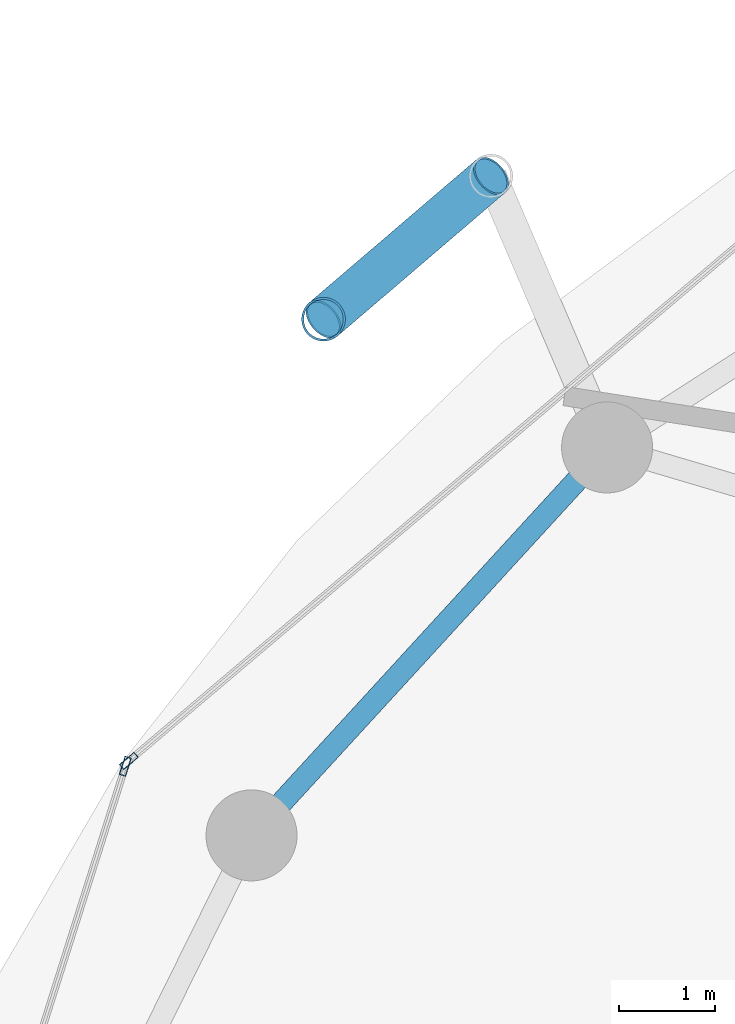
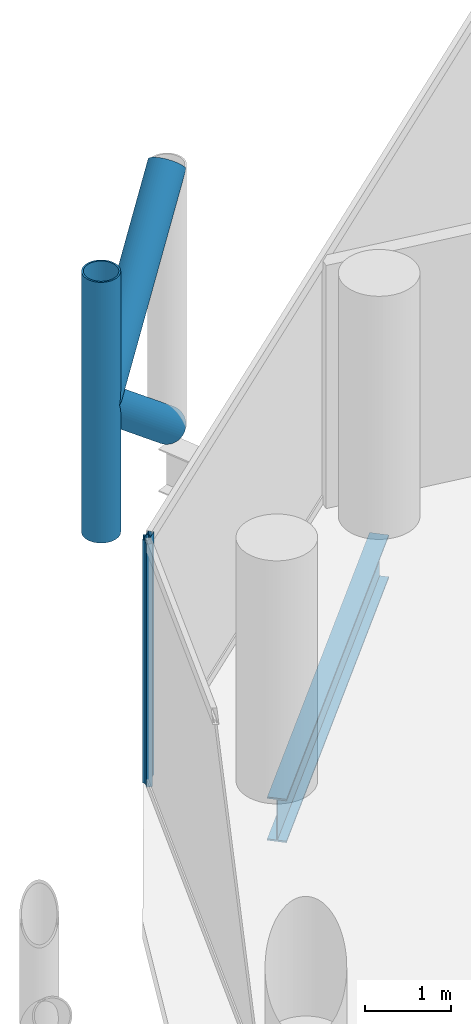
# One storey, part 13 of 26: 5 members, 1 beam, 2 elements without a shape of their own.
"""IFC4 building model written with IfcOpenShell, lengths in metres."""

from ifc_helpers import new_model, si_unit, direction, frame, origin, origin_2d, place, context, subcontext, project, spatial, hollow_rectangle, hollow_circle, i_section, extrude, material, layer, layer_set, material_profile, profile_set, type_object, element, aggregate, save


model = new_model("IFC4")

# Units and contexts
model_context = context("Model", 3, precision=1e-05, world=origin(), true_north=direction((0.0, 1.0)))
body_context = subcontext(model_context, "Body", "Model", "MODEL_VIEW")
ifc_project = project(units=[si_unit("LENGTHUNIT", "METRE"), si_unit("AREAUNIT", "SQUARE_METRE"), si_unit("VOLUMEUNIT", "CUBIC_METRE"), si_unit("PLANEANGLEUNIT", "RADIAN"), si_unit("MASSUNIT", "GRAM", prefix="KILO")], contexts=[model_context])

# Site, building, storey
site_placement = place(None, origin())
site = spatial("IfcSite", under=ifc_project, at=site_placement, CompositionType="ELEMENT")
building_placement = place(site_placement, origin())
building = spatial("IfcBuilding", under=site, at=building_placement, Name="Nuhasar Tower", CompositionType="ELEMENT")
storey_placement = place(building_placement, frame((0.0, 0.0, 144.14990234375)))
storey = spatial("IfcBuildingStorey", under=building, at=storey_placement, Name="L34", CompositionType="ELEMENT", Elevation=144.14990234375)

# Beam
ifc_material_1 = material(Name="Steel S355", Category="steel")
ifc_material_profile_1 = material_profile(ifc_material_1, i_section(OverallWidth=0.22998046875, OverallDepth=0.616943359375, WebThickness=0.01318359375, FlangeThickness=0.022216796875, at=origin_2d()), Name="W24X94")
ifc_profile_set_1 = profile_set([ifc_material_profile_1], Name="Steel S355")
beam_type = type_object("IfcBeamType", Name="BM-RING-W24X94", PredefinedType="SPANDREL", material=ifc_profile_set_1)
beam_placement = place(storey_placement, frame((22.489013671875, 40.6240234375, -0.558837890625), z_axis=(-0.675654174897, -0.737218716491, 0.0), x_axis=(0.737218716491, -0.675654174897, 0.0)))
element("IfcBeam", 1, at=beam_placement, inside=storey, type_object=beam_type, Name="L34 Perimeter Ring Spandrel 10", PredefinedType="SPANDREL", context=body_context, shape_type="SweptSolid", body=[
    extrude(i_section(OverallWidth=0.22998046875, OverallDepth=0.616943359375, WebThickness=0.01318359375, FlangeThickness=0.022216796875, at=origin_2d()), origin(), (0.0, 0.0, 1.0), 5.492431640625),
])

# Curtain wall, member
ifc_material_2 = material(Name="Aluminium 6063-T6", Category="aluminium")
ifc_layer = layer(ifc_material_2, 0.199951171875)
ifc_layer_set = layer_set([ifc_layer], Name="Aluminium 6063-T6")
curtain_wall_type = type_object("IfcCurtainWallType", Name="CW-Z2-HTL", PredefinedType="NOTDEFINED", material=ifc_layer_set)
curtain_wall_1_placement = place(storey_placement, origin())
curtain_wall_1 = element("IfcCurtainWall", 2, at=curtain_wall_1_placement, inside=storey, type_object=curtain_wall_type, Name="L34 Unitised Curtain Wall 05", PredefinedType="NOTDEFINED")
ifc_material_profile_2 = material_profile(ifc_material_2, hollow_rectangle(XDim=0.070068359375, YDim=0.199951171875, WallThickness=0.0048828125, at=origin_2d()), Name="CWM-3")
ifc_profile_set_2 = profile_set([ifc_material_profile_2], Name="Aluminium 6063-T6")
member_type_1 = type_object("IfcMemberType", Name="CW-MUL-S3", PredefinedType="MULLION", material=ifc_profile_set_2)
member_1_placement = place(storey_placement, frame((17.497802734375, 37.3525390625, 0.0), z_axis=(0.0, 0.0, 1.0), x_axis=(0.646374438324, -0.763020370292, 0.0)))
member_1 = element("IfcMember", 3, at=member_1_placement, type_object=member_type_1, Name="CW-Z2 mullion 2", PredefinedType="MULLION", context=body_context, shape_type="SweptSolid", body=[
    extrude(hollow_rectangle(XDim=0.070068359375, YDim=0.199951171875, WallThickness=0.0048828125, at=origin_2d()), origin(), (0.0, 0.0, 1.0), 3.4501953125),
])
aggregate(curtain_wall_1, [member_1])

curtain_wall_2_placement = place(storey_placement, origin())
curtain_wall_2 = element("IfcCurtainWall", 4, at=curtain_wall_2_placement, inside=storey, type_object=curtain_wall_type, Name="L34 Unitised Curtain Wall 06", PredefinedType="NOTDEFINED")
member_2_placement = place(storey_placement, frame((17.46044921875, 37.296630859375, 0.0), z_axis=(0.0, 0.0, 1.0), x_axis=(0.953433389233, -0.301603667577, 0.0)))
member_2 = element("IfcMember", 5, at=member_2_placement, type_object=member_type_1, Name="CW-Z2 mullion 1", PredefinedType="MULLION", context=body_context, shape_type="SweptSolid", body=[
    extrude(hollow_rectangle(XDim=0.070068359375, YDim=0.199951171875, WallThickness=0.0048828125, at=origin_2d()), origin(), (0.0, 0.0, 1.0), 3.4501953125),
])
aggregate(curtain_wall_2, [member_2])

# Members
ifc_material_3 = material(Name="Steel S460", Category="steel")
ifc_material_profile_3 = material_profile(ifc_material_3, hollow_circle(Radius=0.228515625, WallThickness=0.022216796875, at=origin_2d()), Name="HSS457X22.2")
ifc_profile_set_3 = profile_set([ifc_material_profile_3], Name="Steel S460")
member_type_2 = type_object("IfcMemberType", Name="EXO-BRONZE-457", PredefinedType="BRACE", material=ifc_profile_set_3)
member_3_placement = place(storey_placement, frame((19.529052734375, 41.9619140625, 0.0), z_axis=(0.0, 0.0, 1.0), x_axis=(1.0, 0.0, 0.0)))
element("IfcMember", 6, at=member_3_placement, inside=storey, type_object=member_type_2, Name="L34 Exoskeleton Chord Column EC-05B", PredefinedType="BRACE", context=body_context, shape_type="SweptSolid", body=[
    extrude(hollow_circle(Radius=0.228515625, WallThickness=0.022216796875, at=origin_2d()), origin(), (0.0, 0.0, 1.0), 3.7001953125),
])
for number, where, z_axis, x_axis, name in (
    (7, (21.277099609375, 43.45703125, 0.0), (-0.592170370358, -0.506487618445, 0.626741210415), (0.649986859795, -0.759945446788, 0.0), "L34 Bronze Diagrid Brace W1-05"),
    (8, (19.529052734375, 41.9619140625, 1.85009765625), (0.592170370358, 0.506487618445, 0.626741210415), (-0.649986859795, 0.759945446788, 0.0), "L34 Bronze Diagrid Brace W2-05"),
):
    element("IfcMember", number, at=place(storey_placement, frame(where, z_axis=z_axis, x_axis=x_axis)), inside=storey, type_object=member_type_2, Name=name, PredefinedType="BRACE", context=body_context, shape_type="SweptSolid", body=[
        extrude(hollow_circle(Radius=0.228515625, WallThickness=0.022216796875, at=origin_2d()), origin(), (0.0, 0.0, 1.0), 2.951904296875),
    ])

save(model, "model.ifc")
